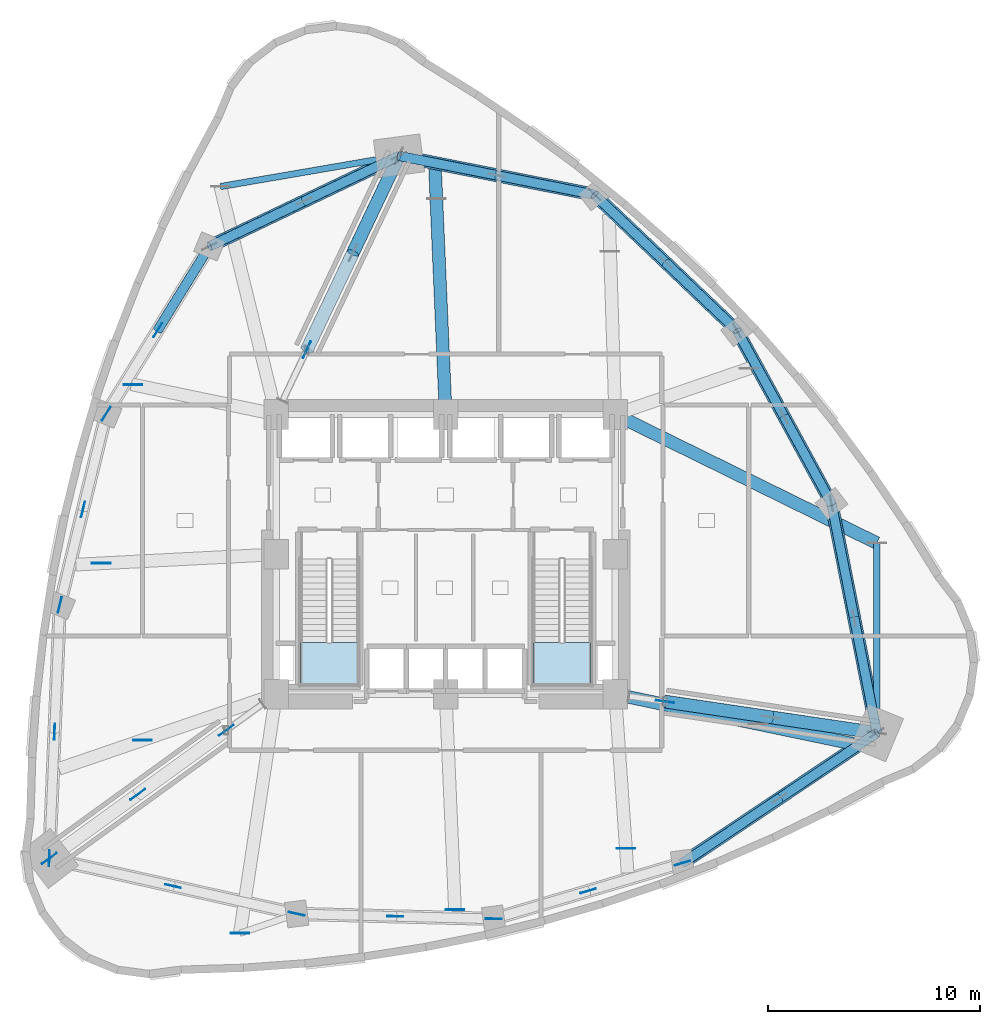
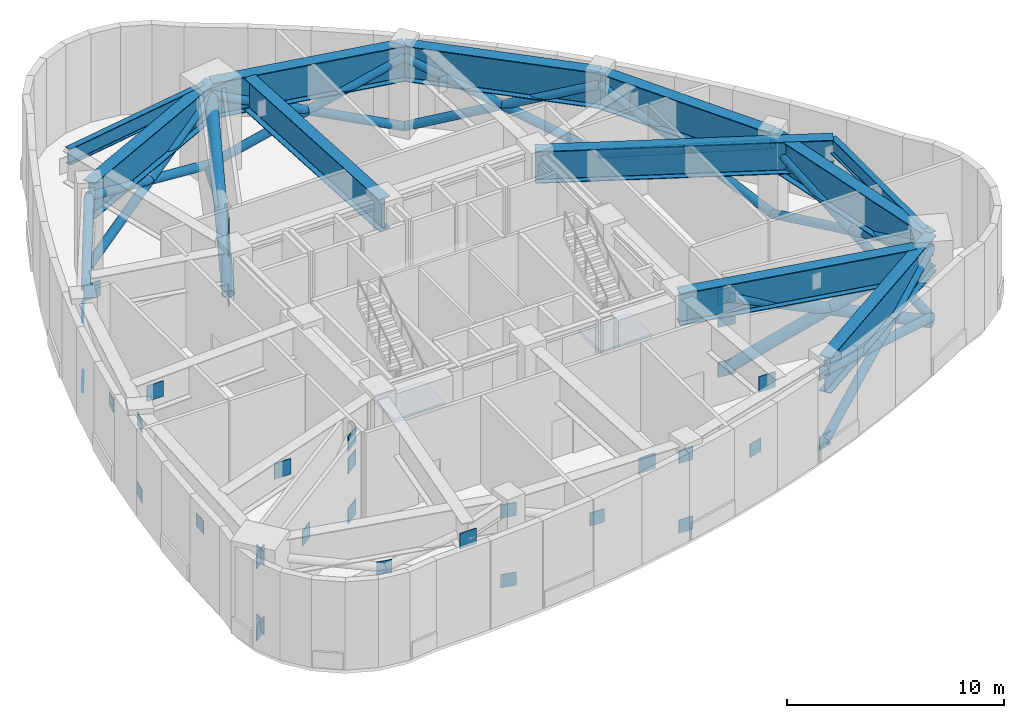
# One storey, part 3 of 13: 36 plates, 24 members, 11 beams, 2 slabs, 2 elements without a shape of their own.
"""IFC4 building model written with IfcOpenShell, lengths in metres."""

import ifcopenshell
import ifcopenshell.guid

model = None  # the IFC model being written
_history = None  # IfcOwnerHistory: only IFC2X3 demands one
_inside = {}  # id of a spatial element -> (the spatial element, [elements in it])
_under = {}  # id of a project, library or spatial element -> (it, [spatial elements below it])
_declared = {}  # id of a project -> (the project, [libraries it declares])
_typed = {}  # id of a type object -> (the type object, [elements of that type])
_made_of = {}  # id of a material, layer set ... -> (it, [elements and type objects made of it])


def new_model(schema):
    """Start an empty IFC model of exactly this schema.

    Asked for "IFC4X3", IfcOpenShell would pick the latest addendum, in which some entities
    have other attributes; the version numbers below select the first issue.
    IFC2X3 requires an IfcOwnerHistory on every rooted entity: one is made here for all.
    """
    global model, _history
    if schema == "IFC4X3":
        model = ifcopenshell.file(schema_version=(4, 3, 0, 0))
    else:
        model = ifcopenshell.file(schema=schema)
    _inside.clear()
    _under.clear()
    _declared.clear()
    _typed.clear()
    _made_of.clear()
    _history = None
    if model.schema == "IFC2X3":
        org = make("IfcOrganization", Name="unknown")
        user = make(
            "IfcPersonAndOrganization",
            ThePerson=make("IfcPerson", FamilyName="unknown"),
            TheOrganization=org,
        )
        app = make(
            "IfcApplication",
            ApplicationDeveloper=org,
            Version="unknown",
            ApplicationFullName="unknown",
            ApplicationIdentifier="unknown",
        )
        _history = make(
            "IfcOwnerHistory",
            OwningUser=user,
            OwningApplication=app,
            ChangeAction="ADDED",
            CreationDate=0,
        )
    return model


def make(cls, **values):
    """One entity of the class cls with the attributes given. An attribute that is None is left unset."""
    return model.create_entity(
        cls, **{name: value for name, value in values.items() if value is not None}
    )


def rooted(cls, **values):
    """An entity with a GlobalId (a new one), such as an element, a storey or a relation."""
    return make(cls, GlobalId=ifcopenshell.guid.new(), OwnerHistory=_history, **values)


def si_unit(unit_type, name, prefix=None):
    """IfcSIUnit, for example si_unit("LENGTHUNIT", "METRE", prefix="MILLI")."""
    return make("IfcSIUnit", UnitType=unit_type, Prefix=prefix, Name=name)


def assignment(units):
    """IfcUnitAssignment: the units of a project."""
    return None if units is None else make("IfcUnitAssignment", Units=units)


def point(xyz):
    """IfcCartesianPoint."""
    return None if xyz is None else make("IfcCartesianPoint", Coordinates=xyz)


def direction(xyz):
    """IfcDirection."""
    return None if xyz is None else make("IfcDirection", DirectionRatios=xyz)


def frame(location, z_axis=None, x_axis=None):
    """IfcAxis2Placement3D, a coordinate frame: its origin and axes. An axis left out is left unset."""
    return make(
        "IfcAxis2Placement3D",
        Location=point(location),
        Axis=direction(z_axis),
        RefDirection=direction(x_axis),
    )


def frame_2d(location, x_axis=None):
    """IfcAxis2Placement2D, a coordinate frame in the plane: its origin and x axis."""
    return make(
        "IfcAxis2Placement2D", Location=point(location), RefDirection=direction(x_axis)
    )


def origin():
    """The frame at (0, 0, 0) with its axes left unset."""
    return frame((0.0, 0.0, 0.0))


def origin_2d():
    """The frame at (0, 0) in the plane with its x axis left unset."""
    return frame_2d((0.0, 0.0))


def place(relative_to, where):
    """IfcLocalPlacement: puts the frame where relative to a parent placement (None: the world)."""
    return make(
        "IfcLocalPlacement", PlacementRelTo=relative_to, RelativePlacement=where
    )


def context(
    kind, dimensions, precision=None, world=None, true_north=None, identifier=None
):
    """IfcGeometricRepresentationContext, for example the 3D "Model" context."""
    return make(
        "IfcGeometricRepresentationContext",
        ContextIdentifier=identifier,
        ContextType=kind,
        CoordinateSpaceDimension=dimensions,
        Precision=precision,
        WorldCoordinateSystem=world,
        TrueNorth=true_north,
    )


def subcontext(parent, identifier, kind, view, scale=None):
    """IfcGeometricRepresentationSubContext, for example "Body" below "Model"."""
    return make(
        "IfcGeometricRepresentationSubContext",
        ContextIdentifier=identifier,
        ContextType=kind,
        ParentContext=parent,
        TargetScale=scale,
        TargetView=view,
    )


def project(units=None, contexts=None):
    """IfcProject with its units and contexts."""
    return rooted(
        "IfcProject",
        Name="project",
        RepresentationContexts=contexts,
        UnitsInContext=assignment(units),
    )


def spatial(cls, under=None, at=None, **own):
    """A site, building, storey or space (cls), placed at a placement, below another one or the project."""
    s = rooted(cls, ObjectPlacement=at, **own)
    if under is not None:
        _under.setdefault(under.id(), (under, []))[1].append(s)
    return s


def polyline(points):
    """IfcPolyline through the points."""
    return make("IfcPolyline", Points=[point(p) for p in points])


def profile(cls, at=None, kind="AREA", **sizes):
    """A parametric profile (cls). Its sizes go by their IFC names, for example OverallWidth=200.0."""
    return make(cls, ProfileType=kind, Position=at, **sizes)


def rectangle(**sizes):
    """IfcRectangleProfileDef."""
    return profile("IfcRectangleProfileDef", **sizes)


def hollow_circle(**sizes):
    """IfcCircleHollowProfileDef."""
    return profile("IfcCircleHollowProfileDef", **sizes)


def i_section(**sizes):
    """IfcIShapeProfileDef."""
    return profile("IfcIShapeProfileDef", **sizes)


def outline(outer, holes=None, kind="AREA"):
    """IfcArbitraryClosedProfileDef: a profile drawn as a closed curve; with holes, ...WithVoids."""
    if holes is None:
        return make("IfcArbitraryClosedProfileDef", ProfileType=kind, OuterCurve=outer)
    return make(
        "IfcArbitraryProfileDefWithVoids",
        ProfileType=kind,
        OuterCurve=outer,
        InnerCurves=holes,
    )


def extrude(swept, where, along, depth):
    """IfcExtrudedAreaSolid: the profile swept, set in the frame where, extruded along a direction by depth."""
    return make(
        "IfcExtrudedAreaSolid",
        SweptArea=swept,
        Position=where,
        ExtrudedDirection=direction(along),
        Depth=depth,
    )


def shape(context_of_items, identifier, shape_type, items):
    """IfcShapeRepresentation: the items that make up one representation, for example the "Body"."""
    return make(
        "IfcShapeRepresentation",
        ContextOfItems=context_of_items,
        RepresentationIdentifier=identifier,
        RepresentationType=shape_type,
        Items=items,
    )


def material(Name=None, Category=None):
    """IfcMaterial."""
    return make("IfcMaterial", Name=Name, Category=Category)


def layer(
    of_material, thickness, ventilated=None, Name=None, Category=None, Priority=None
):
    """IfcMaterialLayer: one layer of a wall or slab, of a material (None: an air gap)."""
    return make(
        "IfcMaterialLayer",
        Material=of_material,
        LayerThickness=thickness,
        IsVentilated=ventilated,
        Name=Name,
        Category=Category,
        Priority=Priority,
    )


def layer_set(layers, Name=None):
    """IfcMaterialLayerSet."""
    return make("IfcMaterialLayerSet", MaterialLayers=layers, LayerSetName=Name)


def material_profile(
    of_material, cross_section, Name=None, Category=None, Priority=None
):
    """IfcMaterialProfile: a cross section and its material."""
    return make(
        "IfcMaterialProfile",
        Name=Name,
        Material=of_material,
        Profile=cross_section,
        Priority=Priority,
        Category=Category,
    )


def profile_set(profiles, Name=None, composite=None):
    """IfcMaterialProfileSet."""
    return make(
        "IfcMaterialProfileSet",
        Name=Name,
        MaterialProfiles=profiles,
        CompositeProfile=composite,
    )


def made_of(thing, what):
    """Note that an element or type object is made of a material, layer set ...; save() writes the relation."""
    if what is not None:
        _made_of.setdefault(what.id(), (what, []))[1].append(thing)
    return thing


def type_object(cls, material=None, **own):
    """A type object (cls), such as IfcWallType, which elements share."""
    return made_of(rooted(cls, **own), material)


def element(
    cls,
    number,
    at=None,
    inside=None,
    cuts=None,
    type_object=None,
    material=None,
    context=None,
    identifier="Body",
    shape_type=None,
    held_by="IfcProductDefinitionShape",
    body=None,
    shapes=None,
    **own,
):
    """One element of the class cls, such as IfcWall. Its Tag is "e" and its number.

    at: its placement. inside: the storey or other place that contains it. cuts: it is an
    opening in that element (IfcRelVoidsElement). A single representation is given by context,
    identifier, shape_type and body (its items); several are given by shapes. held_by: the class
    of the entity that holds the representations. save() writes the other relations.
    """
    e = rooted(cls, Tag="e%d" % number, ObjectPlacement=at, **own)
    if body is not None:
        shapes = [shape(context, identifier, shape_type, body)]
    if shapes is not None:
        e.Representation = make(held_by, Representations=shapes)
    if inside is not None:
        _inside.setdefault(inside.id(), (inside, []))[1].append(e)
    if cuts is not None:
        rooted(
            "IfcRelVoidsElement", RelatingBuildingElement=cuts, RelatedOpeningElement=e
        )
    if type_object is not None:
        _typed.setdefault(type_object.id(), (type_object, []))[1].append(e)
    return made_of(e, material)


def aggregate(whole, parts):
    """IfcRelAggregates: a whole, such as a stair, and the parts it consists of."""
    return rooted("IfcRelAggregates", RelatingObject=whole, RelatedObjects=parts)


def save(model, path):
    """Write the relations noted so far, then the file.

    IfcRelAggregates (storeys below a building ...), IfcRelContainedInSpatialStructure (elements
    in a storey), IfcRelDefinesByType, IfcRelAssociatesMaterial and IfcRelDeclares: one each for
    every whole, place, type object, material and project.
    """
    for whole, parts in _under.values():
        aggregate(whole, parts)
    for where, things in _inside.values():
        rooted(
            "IfcRelContainedInSpatialStructure",
            RelatedElements=things,
            RelatingStructure=where,
        )
    for kind, things in _typed.values():
        rooted("IfcRelDefinesByType", RelatedObjects=things, RelatingType=kind)
    for what, things in _made_of.values():
        rooted("IfcRelAssociatesMaterial", RelatedObjects=things, RelatingMaterial=what)
    for by, libraries in _declared.values():
        rooted("IfcRelDeclares", RelatingContext=by, RelatedDefinitions=libraries)
    model.write(path)


model = new_model("IFC4")

# Units and contexts
model_context = context("Model", 3, precision=1e-05, world=origin(), true_north=direction((0.0, 1.0)))
body_context = subcontext(model_context, "Body", "Model", "MODEL_VIEW")
ifc_project = project(units=[si_unit("LENGTHUNIT", "METRE"), si_unit("AREAUNIT", "SQUARE_METRE"), si_unit("VOLUMEUNIT", "CUBIC_METRE"), si_unit("PLANEANGLEUNIT", "RADIAN"), si_unit("MASSUNIT", "GRAM", prefix="KILO")], contexts=[model_context])

# Site, building, storey
site_placement = place(None, origin())
site = spatial("IfcSite", under=ifc_project, at=site_placement, CompositionType="ELEMENT")
building_placement = place(site_placement, origin())
building = spatial("IfcBuilding", under=site, at=building_placement, Name="Ndelora Gate Hotel", CompositionType="ELEMENT")
storey_placement = place(building_placement, frame((0.0, 0.0, 83.0)))
storey = spatial("IfcBuildingStorey", under=building, at=storey_placement, Name="L20", CompositionType="ELEMENT", Elevation=83.0)

# Beams
ifc_material_1 = material(Name="Steel S460", Category="steel")
ifc_material_profile_1 = material_profile(ifc_material_1, i_section(OverallWidth=0.300048828125, OverallDepth=0.89990234375, WebThickness=0.0185546875, FlangeThickness=0.034912109375, FilletRadius=0.030029296875, at=origin_2d()), Name="HEB 900")
ifc_profile_set_1 = profile_set([ifc_material_profile_1], Name="Steel S460")
beam_type_1 = type_object("IfcBeamType", Name="BM-BELT-900", PredefinedType="SPANDREL", material=ifc_profile_set_1)
beam_1_placement = place(storey_placement, frame((-10.63330078125, 17.351806640625, 4.510009765625), z_axis=(0.98557291928, 0.169251353858, 0.0), x_axis=(-0.169251353858, 0.98557291928, 0.0)))
element("IfcBeam", 1, at=beam_1_placement, inside=storey, type_object=beam_type_1, Name="L20 Setback Corner Transfer Edge Tie 1", PredefinedType="SPANDREL", context=body_context, shape_type="SweptSolid", body=[
    extrude(i_section(OverallWidth=0.300048828125, OverallDepth=0.89990234375, WebThickness=0.0185546875, FlangeThickness=0.034912109375, FilletRadius=0.030029296875, at=origin_2d()), origin(), (0.0, 0.0, 1.0), 8.106689453125),
])
beam_2_placement = place(storey_placement, frame((20.34375, 0.53271484375, 4.510009765625), z_axis=(0.000688369262, -0.999999763074, 0.0), x_axis=(0.999999763074, 0.000688369262, 0.0)))
element("IfcBeam", 2, at=beam_2_placement, inside=storey, type_object=beam_type_1, Name="L20 Setback Corner Transfer Edge Tie 3", PredefinedType="SPANDREL", context=body_context, shape_type="SweptSolid", body=[
    extrude(i_section(OverallWidth=0.300048828125, OverallDepth=0.89990234375, WebThickness=0.0185546875, FlangeThickness=0.034912109375, FilletRadius=0.030029296875, at=origin_2d()), origin(), (0.0, 0.0, 1.0), 8.511962890625),
])
ifc_material_profile_2 = material_profile(ifc_material_1, i_section(OverallWidth=0.60009765625, OverallDepth=1.800048828125, WebThickness=0.028076171875, FlangeThickness=0.0400390625, FilletRadius=0.02392578125, at=origin_2d()), Name="PG 1800x600x40")
ifc_profile_set_2 = profile_set([ifc_material_profile_2], Name="Steel S460")
beam_type_2 = type_object("IfcBeamType", Name="BM-TR-1800", PredefinedType="BEAM", material=ifc_profile_set_2)
beam_3_placement = place(storey_placement, frame((8.0, 6.60009765625, 4.06005859375), z_axis=(0.89744536013, -0.44112563469, 0.0), x_axis=(0.44112563469, 0.89744536013, 0.0)))
element("IfcBeam", 3, at=beam_3_placement, inside=storey, type_object=beam_type_2, Name="L20 Setback Two-Support Radial Transfer Girder 3", PredefinedType="BEAM", context=body_context, shape_type="SweptSolid", body=[
    extrude(i_section(OverallWidth=0.60009765625, OverallDepth=1.800048828125, WebThickness=0.028076171875, FlangeThickness=0.0400390625, FilletRadius=0.02392578125, at=origin_2d()), origin(), (0.0, 0.0, 1.0), 13.75439453125),
])
beam_4_placement = place(storey_placement, frame((8.0, -6.60009765625, 4.06005859375), z_axis=(0.978946873275, -0.20411521086, 0.0), x_axis=(0.20411521086, 0.978946873275, 0.0)))
element("IfcBeam", 4, at=beam_4_placement, inside=storey, type_object=beam_type_2, Name="L20 Setback Two-Support Radial Transfer Girder 9", PredefinedType="BEAM", context=body_context, shape_type="SweptSolid", body=[
    extrude(i_section(OverallWidth=0.60009765625, OverallDepth=1.800048828125, WebThickness=0.028076171875, FlangeThickness=0.0400390625, FilletRadius=0.02392578125, at=origin_2d()), origin(), (0.0, 0.0, 1.0), 11.44775390625),
])
beam_5_placement = place(storey_placement, frame((0.0, 6.60009765625, 4.06005859375), z_axis=(-0.04313151912, 0.999069403024, 0.0), x_axis=(-0.999069403024, -0.04313151912, 0.0)))
element("IfcBeam", 5, at=beam_5_placement, inside=storey, type_object=beam_type_2, Name="L20 Setback Two-Support Radial Transfer Girder 12", PredefinedType="BEAM", context=body_context, shape_type="SweptSolid", body=[
    extrude(i_section(OverallWidth=0.60009765625, OverallDepth=1.800048828125, WebThickness=0.028076171875, FlangeThickness=0.0400390625, FilletRadius=0.02392578125, at=origin_2d()), origin(), (0.0, 0.0, 1.0), 11.575439453125),
])
ifc_material_profile_3 = material_profile(ifc_material_1, i_section(OverallWidth=0.6201171875, OverallDepth=2.0, WebThickness=0.028076171875, FlangeThickness=0.0400390625, FilletRadius=0.02392578125, at=origin_2d()), Name="PG 2000x620x40")
ifc_profile_set_3 = profile_set([ifc_material_profile_3], Name="Steel S460")
beam_type_3 = type_object("IfcBeamType", Name="BM-TR-2000", PredefinedType="BEAM", material=ifc_profile_set_3)
beam_6_placement = place(storey_placement, frame((-2.199951171875, 18.800048828125, 3.9599609375), z_axis=(-0.902476034566, -0.43074006899, 0.0), x_axis=(0.43074006899, -0.902476034566, 0.0)))
element("IfcBeam", 6, at=beam_6_placement, inside=storey, type_object=beam_type_3, Name="L20 Belt Truss Top Chord Girder 1", PredefinedType="BEAM", context=body_context, shape_type="SweptSolid", body=[
    extrude(i_section(OverallWidth=0.6201171875, OverallDepth=2.0, WebThickness=0.028076171875, FlangeThickness=0.0400390625, FilletRadius=0.02392578125, at=origin_2d()), origin(), (0.0, 0.0, 1.0), 9.91552734375),
])
beam_7_placement = place(storey_placement, frame((11.179443359375, -14.5693359375, 3.9599609375), z_axis=(0.830945983886, 0.556353099985, 0.0), x_axis=(-0.556353099985, 0.830945983886, 0.0)))
element("IfcBeam", 7, at=beam_7_placement, inside=storey, type_object=beam_type_3, Name="L20 Belt Truss Top Chord Girder 8", PredefinedType="BEAM", context=body_context, shape_type="SweptSolid", body=[
    extrude(i_section(OverallWidth=0.6201171875, OverallDepth=2.0, WebThickness=0.028076171875, FlangeThickness=0.0400390625, FilletRadius=0.02392578125, at=origin_2d()), origin(), (0.0, 0.0, 1.0), 11.036376953125),
])
beam_8_placement = place(storey_placement, frame((20.35009765625, -8.42919921875, 3.9599609375), z_axis=(-0.194163071691, 0.980969266385, 0.0), x_axis=(-0.980969266385, -0.194163071691, 0.0)))
element("IfcBeam", 8, at=beam_8_placement, inside=storey, type_object=beam_type_3, Name="L20 Belt Truss Top Chord Girder 9", PredefinedType="BEAM", context=body_context, shape_type="SweptSolid", body=[
    extrude(i_section(OverallWidth=0.6201171875, OverallDepth=2.0, WebThickness=0.028076171875, FlangeThickness=0.0400390625, FilletRadius=0.02392578125, at=origin_2d()), origin(), (0.0, 0.0, 1.0), 11.0361328125),
])
for number, where, z_axis, x_axis, name in (
    (9, (18.207275390625, 2.39697265625, 3.9599609375), (-0.479203651005, 0.87770374322, 0.0), (-0.87770374322, -0.479203651005, 0.0), "L20 Belt Truss Top Chord Girder 10"),
    (10, (13.75390625, 10.5537109375, 3.9599609375), (-0.723784227769, 0.690026370244, 0.0), (-0.690026370244, -0.723784227769, 0.0), "L20 Belt Truss Top Chord Girder 11"),
):
    element("IfcBeam", number, at=place(storey_placement, frame(where, z_axis=z_axis, x_axis=x_axis)), inside=storey, type_object=beam_type_3, Name=name, PredefinedType="BEAM", context=body_context, shape_type="SweptSolid", body=[
        extrude(i_section(OverallWidth=0.6201171875, OverallDepth=2.0, WebThickness=0.028076171875, FlangeThickness=0.0400390625, FilletRadius=0.02392578125, at=origin_2d()), origin(), (0.0, 0.0, 1.0), 9.293212890625),
    ])
beam_9_placement = place(storey_placement, frame((7.027587890625, 16.96630859375, 3.9599609375), z_axis=(-0.980820478164, 0.194913287424, 0.0), x_axis=(-0.194913287424, -0.980820478164, 0.0)))
element("IfcBeam", 11, at=beam_9_placement, inside=storey, type_object=beam_type_3, Name="L20 Belt Truss Top Chord Girder 12", PredefinedType="BEAM", context=body_context, shape_type="SweptSolid", body=[
    extrude(i_section(OverallWidth=0.6201171875, OverallDepth=2.0, WebThickness=0.028076171875, FlangeThickness=0.0400390625, FilletRadius=0.02392578125, at=origin_2d()), origin(), (0.0, 0.0, 1.0), 9.407958984375),
])

# Members
ifc_material_profile_4 = material_profile(ifc_material_1, hollow_circle(Radius=0.228515625, WallThickness=0.02490234375, at=origin_2d()), Name="CHS 457x25")
ifc_profile_set_4 = profile_set([ifc_material_profile_4], Name="Steel S460")
member_type_1 = type_object("IfcMemberType", Name="MB-BELT-457", PredefinedType="BRACE", material=ifc_profile_set_4)
member_1_placement = place(storey_placement, frame((-2.199951171875, 18.800048828125, 0.239990234375), z_axis=(-0.83927169195, -0.400573458625, 0.36764647603), x_axis=(0.43074006899, -0.902476034566, 0.0)))
element("IfcMember", 12, at=member_1_placement, inside=storey, type_object=member_type_1, Name="L20 Storey-Deep Belt Truss Continuous Diagonal 1A", PredefinedType="BRACE", context=body_context, shape_type="SweptSolid", body=[
    extrude(hollow_circle(Radius=0.228515625, WallThickness=0.02490234375, at=origin_2d()), origin(), (0.0, 0.0, 1.0), 10.662109375),
])
member_2_placement = place(storey_placement, frame((-11.1484375, 14.529052734375, 0.239990234375), z_axis=(0.839264922649, 0.400581156739, 0.367653541363), x_axis=(-0.430749640615, 0.902471466092, 0.0)))
element("IfcMember", 13, at=member_2_placement, inside=storey, type_object=member_type_1, Name="L20 Storey-Deep Belt Truss Split Diagonal 1B-Lower", PredefinedType="BRACE", context=body_context, shape_type="SweptSolid", body=[
    extrude(hollow_circle(Radius=0.228515625, WallThickness=0.02490234375, at=origin_2d()), origin(), (0.0, 0.0, 1.0), 5.3310546875),
])
member_3_placement = place(storey_placement, frame((-6.67431640625, 16.66455078125, 2.199951171875), z_axis=(0.83927846086, 0.400565760743, 0.367639410912), x_axis=(-0.430730497743, 0.902480602736, 0.0)))
element("IfcMember", 14, at=member_3_placement, inside=storey, type_object=member_type_1, Name="L20 Storey-Deep Belt Truss Split Diagonal 1B-Upper", PredefinedType="BRACE", context=body_context, shape_type="SweptSolid", body=[
    extrude(hollow_circle(Radius=0.228515625, WallThickness=0.02490234375, at=origin_2d()), origin(), (0.0, 0.0, 1.0), 5.331298828125),
])
member_4_placement = place(storey_placement, frame((-13.582763671875, 10.581787109375, 2.199951171875), z_axis=(0.483508793945, 0.784010648932, 0.389289800199), x_axis=(-0.851153621332, 0.524916672334, 0.0)))
element("IfcMember", 15, at=member_4_placement, inside=storey, type_object=member_type_1, Name="L20 Storey-Deep Belt Truss Split Diagonal 2B-Upper", PredefinedType="BRACE", context=body_context, shape_type="SweptSolid", body=[
    extrude(hollow_circle(Radius=0.228515625, WallThickness=0.02490234375, at=origin_2d()), origin(), (0.0, 0.0, 1.0), 5.03466796875),
])
member_5_placement = place(storey_placement, frame((11.179443359375, -14.5693359375, 0.239990234375), z_axis=(0.783022013694, 0.524265996976, 0.334696415405), x_axis=(-0.556353099985, 0.830945983886, 0.0)))
element("IfcMember", 16, at=member_5_placement, inside=storey, type_object=member_type_1, Name="L20 Storey-Deep Belt Truss Continuous Diagonal 8A", PredefinedType="BRACE", context=body_context, shape_type="SweptSolid", body=[
    extrude(hollow_circle(Radius=0.228515625, WallThickness=0.02490234375, at=origin_2d()), origin(), (0.0, 0.0, 1.0), 11.7119140625),
])
for number, where, z_axis, x_axis, name in (
    (17, (20.35009765625, -8.42919921875, 0.239990234375), (-0.783013948836, -0.524274554423, 0.334701878561), (0.556363326838, -0.830939136489, 0.0), "L20 Storey-Deep Belt Truss Split Diagonal 8B-Lower"),
    (18, (15.764892578125, -11.499267578125, 2.199951171875), (-0.783030078157, -0.52425743972, 0.334690952372), (0.556342873424, -0.830952830906, 0.0), "L20 Storey-Deep Belt Truss Split Diagonal 8B-Upper"),
):
    element("IfcMember", number, at=place(storey_placement, frame(where, z_axis=z_axis, x_axis=x_axis)), inside=storey, type_object=member_type_1, Name=name, PredefinedType="BRACE", context=body_context, shape_type="SweptSolid", body=[
        extrude(hollow_circle(Radius=0.228515625, WallThickness=0.02490234375, at=origin_2d()), origin(), (0.0, 0.0, 1.0), 5.85595703125),
    ])
member_6_placement = place(storey_placement, frame((20.35009765625, -8.42919921875, 0.239990234375), z_axis=(-0.182964534518, 0.92439094436, 0.334701898851), x_axis=(-0.980969266385, -0.194163071691, 0.0)))
element("IfcMember", 19, at=member_6_placement, inside=storey, type_object=member_type_1, Name="L20 Storey-Deep Belt Truss Continuous Diagonal 9A", PredefinedType="BRACE", context=body_context, shape_type="SweptSolid", body=[
    extrude(hollow_circle(Radius=0.228515625, WallThickness=0.02490234375, at=origin_2d()), origin(), (0.0, 0.0, 1.0), 11.711669921875),
])
member_7_placement = place(storey_placement, frame((18.207275390625, 2.39697265625, 0.239990234375), z_axis=(0.182944386332, -0.924394469863, 0.334703175359), x_axis=(0.980973479668, 0.194141783726, 0.0)))
element("IfcMember", 20, at=member_7_placement, inside=storey, type_object=member_type_1, Name="L20 Storey-Deep Belt Truss Split Diagonal 9B-Lower", PredefinedType="BRACE", context=body_context, shape_type="SweptSolid", body=[
    extrude(hollow_circle(Radius=0.228515625, WallThickness=0.02490234375, at=origin_2d()), origin(), (0.0, 0.0, 1.0), 5.855712890625),
])
member_8_placement = place(storey_placement, frame((19.278564453125, -3.01611328125, 2.199951171875), z_axis=(0.182984682472, -0.924387418495, 0.334700622212), x_axis=(0.980965052676, 0.194184359381, 0.0)))
element("IfcMember", 21, at=member_8_placement, inside=storey, type_object=member_type_1, Name="L20 Storey-Deep Belt Truss Split Diagonal 9B-Upper", PredefinedType="BRACE", context=body_context, shape_type="SweptSolid", body=[
    extrude(hollow_circle(Radius=0.228515625, WallThickness=0.02490234375, at=origin_2d()), origin(), (0.0, 0.0, 1.0), 5.85595703125),
])
member_9_placement = place(storey_placement, frame((18.207275390625, 2.39697265625, 0.239990234375), z_axis=(-0.441532581673, 0.808705857886, 0.388643557444), x_axis=(-0.87770374322, -0.479203651005, 0.0)))
element("IfcMember", 22, at=member_9_placement, inside=storey, type_object=member_type_1, Name="L20 Storey-Deep Belt Truss Continuous Diagonal 10A", PredefinedType="BRACE", context=body_context, shape_type="SweptSolid", body=[
    extrude(hollow_circle(Radius=0.228515625, WallThickness=0.02490234375, at=origin_2d()), origin(), (0.0, 0.0, 1.0), 10.086181640625),
])
member_10_placement = place(storey_placement, frame((13.75390625, 10.5537109375, 0.239990234375), z_axis=(0.441552067976, -0.808697214729, 0.388639403762), x_axis=(0.877692693705, 0.479223888613, 0.0)))
element("IfcMember", 23, at=member_10_placement, inside=storey, type_object=member_type_1, Name="L20 Storey-Deep Belt Truss Split Diagonal 10B-Lower", PredefinedType="BRACE", context=body_context, shape_type="SweptSolid", body=[
    extrude(hollow_circle(Radius=0.228515625, WallThickness=0.02490234375, at=origin_2d()), origin(), (0.0, 0.0, 1.0), 5.043212890625),
])
member_11_placement = place(storey_placement, frame((15.980712890625, 6.475341796875, 2.199951171875), z_axis=(0.441513094745, -0.808714500846, 0.388647711032), x_axis=(0.877714792548, 0.479183412633, 0.0)))
element("IfcMember", 24, at=member_11_placement, inside=storey, type_object=member_type_1, Name="L20 Storey-Deep Belt Truss Split Diagonal 10B-Upper", PredefinedType="BRACE", context=body_context, shape_type="SweptSolid", body=[
    extrude(hollow_circle(Radius=0.228515625, WallThickness=0.02490234375, at=origin_2d()), origin(), (0.0, 0.0, 1.0), 5.04296875),
])
member_12_placement = place(storey_placement, frame((13.75390625, 10.5537109375, 0.239990234375), z_axis=(-0.666886171691, 0.635782083614, 0.388643765115), x_axis=(-0.690026370244, -0.723784227769, 0.0)))
element("IfcMember", 25, at=member_12_placement, inside=storey, type_object=member_type_1, Name="L20 Storey-Deep Belt Truss Continuous Diagonal 11A", PredefinedType="BRACE", context=body_context, shape_type="SweptSolid", body=[
    extrude(hollow_circle(Radius=0.228515625, WallThickness=0.02490234375, at=origin_2d()), origin(), (0.0, 0.0, 1.0), 10.086181640625),
])
member_13_placement = place(storey_placement, frame((7.027587890625, 16.96630859375, 0.239990234375), z_axis=(0.666899611789, -0.635771820676, 0.388637491539), x_axis=(0.690013249996, 0.723796735852, 0.0)))
element("IfcMember", 26, at=member_13_placement, inside=storey, type_object=member_type_1, Name="L20 Storey-Deep Belt Truss Split Diagonal 11B-Lower", PredefinedType="BRACE", context=body_context, shape_type="SweptSolid", body=[
    extrude(hollow_circle(Radius=0.228515625, WallThickness=0.02490234375, at=origin_2d()), origin(), (0.0, 0.0, 1.0), 5.043212890625),
])
member_14_placement = place(storey_placement, frame((10.390869140625, 13.760009765625, 2.199951171875), z_axis=(0.666872730942, -0.635792346676, 0.388650038766), x_axis=(0.690039490764, 0.723771718973, 0.0)))
element("IfcMember", 27, at=member_14_placement, inside=storey, type_object=member_type_1, Name="L20 Storey-Deep Belt Truss Split Diagonal 11B-Upper", PredefinedType="BRACE", context=body_context, shape_type="SweptSolid", body=[
    extrude(hollow_circle(Radius=0.228515625, WallThickness=0.02490234375, at=origin_2d()), origin(), (0.0, 0.0, 1.0), 5.04296875),
])
member_15_placement = place(storey_placement, frame((7.027587890625, 16.96630859375, 0.239990234375), z_axis=(-0.905375128062, 0.179920430386, 0.384609563344), x_axis=(-0.194913287424, -0.980820478164, 0.0)))
element("IfcMember", 28, at=member_15_placement, inside=storey, type_object=member_type_1, Name="L20 Storey-Deep Belt Truss Continuous Diagonal 12A", PredefinedType="BRACE", context=body_context, shape_type="SweptSolid", body=[
    extrude(hollow_circle(Radius=0.228515625, WallThickness=0.02490234375, at=origin_2d()), origin(), (0.0, 0.0, 1.0), 10.19189453125),
])
for number, where, z_axis, x_axis, name in (
    (29, (-2.199951171875, 18.800048828125, 0.239990234375), (0.905379029868, -0.17989725141, 0.384611220858), (0.194888322743, 0.980825438933, 0.0), "L20 Storey-Deep Belt Truss Split Diagonal 12B-Lower"),
    (30, (2.413818359375, 17.88330078125, 2.199951171875), (0.905371225787, -0.179943609062, 0.384607905631), (0.194938251727, 0.980815516809, 0.0), "L20 Storey-Deep Belt Truss Split Diagonal 12B-Upper"),
):
    element("IfcMember", number, at=place(storey_placement, frame(where, z_axis=z_axis, x_axis=x_axis)), inside=storey, type_object=member_type_1, Name=name, PredefinedType="BRACE", context=body_context, shape_type="SweptSolid", body=[
        extrude(hollow_circle(Radius=0.228515625, WallThickness=0.02490234375, at=origin_2d()), origin(), (0.0, 0.0, 1.0), 5.095947265625),
    ])
ifc_material_profile_5 = material_profile(ifc_material_1, hollow_circle(Radius=0.304931640625, WallThickness=0.031982421875, at=origin_2d()), Name="CHS 610x32")
ifc_profile_set_5 = profile_set([ifc_material_profile_5], Name="Steel S460")
member_type_2 = type_object("IfcMemberType", Name="MB-OUT-610", PredefinedType="BRACE", material=ifc_profile_set_5)
member_16_placement = place(storey_placement, frame((-6.550048828125, 9.64990234375, 0.0), z_axis=(0.398550800241, 0.838325594467, 0.371977764508), x_axis=(-0.903132932318, 0.429361044533, 0.0)))
element("IfcMember", 31, at=member_16_placement, inside=storey, type_object=member_type_2, Name="L20 Core-to-Mega-Column Outrigger Continuous Arm 1A", PredefinedType="BRACE", context=body_context, shape_type="SweptSolid", body=[
    extrude(hollow_circle(Radius=0.304931640625, WallThickness=0.031982421875, at=origin_2d()), origin(), (0.0, 0.0, 1.0), 10.914794921875),
])
member_17_placement = place(storey_placement, frame((-4.375, 14.22509765625, 2.030029296875), z_axis=(0.398558273801, 0.83831894632, -0.371984739775), x_axis=(-0.903128489862, 0.429370388824, 0.0)))
element("IfcMember", 32, at=member_17_placement, inside=storey, type_object=member_type_2, Name="L20 Core-to-Mega-Column Outrigger Split Arm 1B-Lower", PredefinedType="BRACE", context=body_context, shape_type="SweptSolid", body=[
    extrude(hollow_circle(Radius=0.304931640625, WallThickness=0.031982421875, at=origin_2d()), origin(), (0.0, 0.0, 1.0), 5.457275390625),
])
member_18_placement = place(storey_placement, frame((10.35009765625, -6.947998046875, 0.0), z_axis=(0.917941132368, -0.135965548098, 0.372689478303), x_axis=(0.146521528108, 0.989207481674, 0.0)))
element("IfcMember", 33, at=member_18_placement, inside=storey, type_object=member_type_2, Name="L20 Core-to-Mega-Column Outrigger Continuous Arm 3A", PredefinedType="BRACE", context=body_context, shape_type="SweptSolid", body=[
    extrude(hollow_circle(Radius=0.304931640625, WallThickness=0.031982421875, at=origin_2d()), origin(), (0.0, 0.0, 1.0), 10.89404296875),
])
for number, where, z_axis, x_axis, name in (
    (34, (10.35009765625, -6.947998046875, 4.06005859375), (0.917938335111, -0.135987544371, -0.3726883426), (0.146545160078, 0.989203981016, 0.0), "L20 Core-to-Mega-Column Outrigger Split Arm 3B-Upper"),
    (35, (15.35009765625, -7.688720703125, 2.030029296875), (0.91794392919, -0.135943551623, -0.372690613829), (0.146497895888, 0.989210981793, 0.0), "L20 Core-to-Mega-Column Outrigger Split Arm 3B-Lower"),
):
    element("IfcMember", number, at=place(storey_placement, frame(where, z_axis=z_axis, x_axis=x_axis)), inside=storey, type_object=member_type_2, Name=name, PredefinedType="BRACE", context=body_context, shape_type="SweptSolid", body=[
        extrude(hollow_circle(Radius=0.304931640625, WallThickness=0.031982421875, at=origin_2d()), origin(), (0.0, 0.0, 1.0), 5.447021484375),
    ])

# Plates
ifc_layer_1 = layer(ifc_material_1, 0.031982421875)
ifc_layer_set_1 = layer_set([ifc_layer_1], Name="Steel S460")
plate_type_1 = type_object("IfcPlateType", Name="PL-NODE-BN1", PredefinedType="USERDEFINED", material=ifc_layer_set_1)
for number, where, z_axis, x_axis, name in (
    (36, (-16.016845703125, 6.634521484375, 3.784912109375), (0.0, 0.0, 1.0), (0.524877544859, 0.851177750474, 0.0), "Node gusset cap plate BN1"),
    (37, (-16.016845703125, 6.634521484375, -0.135009765625), (0.0, 0.0, 1.0), (0.524877544859, 0.851177750474, 0.0), "Node gusset cap plate BN1"),
    (38, (-13.582763671875, 10.581787109375, 1.824951171875), (0.0, 0.0, 1.0), (0.524877544859, 0.851177750474, 0.0), "Node gusset cap plate BN1"),
    (39, (-18.207275390625, -2.39697265625, 3.784912109375), (0.0, 0.0, 1.0), (0.235650998436, 0.971837747227, 0.0), "Node gusset cap plate BN1"),
    (40, (-18.207275390625, -2.39697265625, -0.135009765625), (0.0, 0.0, 1.0), (0.235650998436, 0.971837747227, 0.0), "Node gusset cap plate BN1"),
    (41, (-17.112060546875, 2.11865234375, 1.824951171875), (0.0, 0.0, 1.0), (0.235650998436, 0.971837747227, 0.0), "Node gusset cap plate BN1"),
    (42, (-18.701904296875, -14.3505859375, 3.784912109375), (0.0, 0.0, 1.0), (0.041352508522, 0.999144619181, 0.0), "Node gusset cap plate BN1"),
    (43, (-18.701904296875, -14.3505859375, -0.135009765625), (0.0, 0.0, 1.0), (0.041352508522, 0.999144619181, 0.0), "Node gusset cap plate BN1"),
    (44, (-18.45458984375, -8.373779296875, 1.824951171875), (0.0, 0.0, 1.0), (0.041352508522, 0.999144619181, 0.0), "Node gusset cap plate BN1"),
    (45, (-7.027587890625, -16.96630859375, 3.784912109375), (0.0, 0.0, 1.0), (-0.975802408633, 0.218654200292, 0.0), "Node gusset cap plate BN1"),
    (46, (-7.027587890625, -16.96630859375, -0.135009765625), (0.0, 0.0, 1.0), (-0.975802408633, 0.218654200292, 0.0), "Node gusset cap plate BN1"),
    (47, (-12.86474609375, -15.658447265625, 1.824951171875), (0.0, 0.0, 1.0), (-0.975802408633, 0.218654200292, 0.0), "Node gusset cap plate BN1"),
    (48, (2.2646484375, -17.20166015625, 3.784912109375), (0.0, 0.0, 1.0), (-0.999679788028, 0.025304572866, 0.0), "Node gusset cap plate BN1"),
    (49, (2.2646484375, -17.20166015625, -0.135009765625), (0.0, 0.0, 1.0), (-0.999679788028, 0.025304572866, 0.0), "Node gusset cap plate BN1"),
    (50, (-2.381591796875, -17.083984375, 1.824951171875), (0.0, 0.0, 1.0), (-0.999679788028, 0.025304572866, 0.0), "Node gusset cap plate BN1"),
    (51, (11.179443359375, -14.5693359375, 3.784912109375), (0.0, 0.0, 1.0), (0.95906721989, 0.2831785086, 0.0), "Node gusset cap plate BN1"),
    (52, (11.179443359375, -14.5693359375, -0.135009765625), (0.0, 0.0, 1.0), (0.95906721989, 0.2831785086, 0.0), "Node gusset cap plate BN1"),
    (53, (6.72216796875, -15.885498046875, 1.824951171875), (0.0, 0.0, 1.0), (0.95906721989, 0.2831785086, 0.0), "Node gusset cap plate BN1"),
):
    element("IfcPlate", number, at=place(storey_placement, frame(where, z_axis=z_axis, x_axis=x_axis)), inside=storey, type_object=plate_type_1, Name=name, ObjectType="GUSSET_PLATE", PredefinedType="USERDEFINED", context=body_context, shape_type="SweptSolid", body=[
        extrude(rectangle(XDim=0.75, YDim=0.031982421875, at=origin_2d()), origin(), (0.0, 0.0, 1.0), 0.75),
    ])
ifc_layer_2 = layer(ifc_material_1, 0.0380859375)
ifc_layer_set_2 = layer_set([ifc_layer_2], Name="Steel S460")
plate_type_2 = type_object("IfcPlateType", Name="PL-NODE-KN1", PredefinedType="USERDEFINED", material=ifc_layer_set_2)
for number, where, z_axis, x_axis, name in (
    (54, (-9.71044921875, -17.884521484375, 3.6201171875), (0.0, 0.0, 1.0), (1.0, 0.0, 0.0), "Node gusset cap plate KN1"),
    (55, (-14.74658203125, 8.006591796875, 3.6201171875), (0.0, 0.0, 1.0), (1.0, 0.0, 0.0), "Node gusset cap plate KN1"),
    (56, (-16.25537109375, -0.42578125, 3.6201171875), (0.0, 0.0, 1.0), (1.0, 0.0, 0.0), "Node gusset cap plate KN1"),
    (57, (-14.307373046875, -8.767578125, 3.6201171875), (0.0, 0.0, 1.0), (1.0, 0.0, 0.0), "Node gusset cap plate KN1"),
    (58, (0.439208984375, -16.7744140625, 3.6201171875), (0.0, 0.0, 1.0), (1.0, 0.0, 0.0), "Node gusset cap plate KN1"),
    (59, (8.50439453125, -13.878173828125, 3.6201171875), (0.0, 0.0, 1.0), (1.0, 0.0, 0.0), "Node gusset cap plate KN1"),
):
    element("IfcPlate", number, at=place(storey_placement, frame(where, z_axis=z_axis, x_axis=x_axis)), inside=storey, type_object=plate_type_2, Name=name, ObjectType="GUSSET_PLATE", PredefinedType="USERDEFINED", context=body_context, shape_type="SweptSolid", body=[
        extrude(rectangle(XDim=0.8798828125, YDim=0.0380859375, at=origin_2d()), origin(), (0.0, 0.0, 1.0), 0.8798828125),
    ])
ifc_layer_3 = layer(ifc_material_1, 0.035888671875)
ifc_layer_set_3 = layer_set([ifc_layer_3], Name="Steel S460")
plate_type_3 = type_object("IfcPlateType", Name="PL-NODE-ON1", PredefinedType="USERDEFINED", material=ifc_layer_set_3)
for number, where, z_axis, x_axis, name in (
    (60, (-6.550048828125, 9.64990234375, 2.3701171875), (0.0, 0.0, 1.0), (0.429408059837, 0.903110579136, 0.0), "Node gusset cap plate ON1"),
    (61, (-6.550048828125, 9.64990234375, -0.43017578125), (0.0, 0.0, 1.0), (0.429408059837, 0.903110579136, 0.0), "Node gusset cap plate ON1"),
    (62, (-6.550048828125, 9.64990234375, 3.6298828125), (0.0, 0.0, 1.0), (0.429408059837, 0.903110579136, 0.0), "Node gusset cap plate ON1"),
    (63, (-10.35009765625, -8.302001953125, 2.3701171875), (0.0, 0.0, 1.0), (0.809939286826, 0.586513726741, 0.0), "Node gusset cap plate ON1"),
    (64, (-10.35009765625, -8.302001953125, -0.43017578125), (0.0, 0.0, 1.0), (0.809939286826, 0.586513726741, 0.0), "Node gusset cap plate ON1"),
    (65, (-18.701904296875, -14.3505859375, 3.6298828125), (0.0, 0.0, 1.0), (0.809939286826, 0.586513726741, 0.0), "Node gusset cap plate ON1"),
    (66, (-10.35009765625, -8.302001953125, 3.6298828125), (0.0, 0.0, 1.0), (0.809939286826, 0.586513726741, 0.0), "Node gusset cap plate ON1"),
    (67, (-18.701904296875, -14.3505859375, -0.43017578125), (0.0, 0.0, 1.0), (0.809939286826, 0.586513726741, 0.0), "Node gusset cap plate ON1"),
    (68, (-14.52587890625, -11.326171875, 1.60009765625), (0.0, 0.0, 1.0), (0.809939286826, 0.586513726741, 0.0), "Node gusset cap plate ON1"),
    (69, (10.35009765625, -6.947998046875, 2.3701171875), (0.0, 0.0, 1.0), (-0.989195708464, 0.146600990296, 0.0), "Node gusset cap plate ON1"),
    (70, (10.35009765625, -6.947998046875, -0.43017578125), (0.0, 0.0, 1.0), (-0.989195708464, 0.146600990296, 0.0), "Node gusset cap plate ON1"),
    (71, (10.35009765625, -6.947998046875, 3.6298828125), (0.0, 0.0, 1.0), (-0.989195708464, 0.146600990296, 0.0), "Node gusset cap plate ON1"),
):
    element("IfcPlate", number, at=place(storey_placement, frame(where, z_axis=z_axis, x_axis=x_axis)), inside=storey, type_object=plate_type_3, Name=name, ObjectType="GUSSET_PLATE", PredefinedType="USERDEFINED", context=body_context, shape_type="SweptSolid", body=[
        extrude(rectangle(XDim=0.860107421875, YDim=0.035888671875, at=origin_2d()), origin(), (0.0, 0.0, 1.0), 0.860107421875),
    ])

# Stair, slab
ifc_material_2 = material(Name="Precast concrete C40/50", Category="concrete")
stair_type = type_object("IfcStairType", Name="STR-DOG-CORE", PredefinedType="HALF_TURN_STAIR", material=ifc_material_2)
stair_1_placement = place(storey_placement, origin())
stair_1 = element("IfcStair", 72, at=stair_1_placement, inside=storey, type_object=stair_type, Name="L20 Protected Core Exit Stair ST4", PredefinedType="HALF_TURN_STAIR")
ifc_layer_4 = layer(ifc_material_2, 0.219970703125)
ifc_layer_set_4 = layer_set([ifc_layer_4], Name="Precast concrete C40/50")
slab_type = type_object("IfcSlabType", Name="SL-LAND-220", PredefinedType="LANDING", material=ifc_layer_set_4)
slab_1_placement = place(storey_placement, frame((0.0, 0.0, 2.425048828125)))
slab_1 = element("IfcSlab", 73, at=slab_1_placement, type_object=slab_type, Name="ST4 landing 1", PredefinedType="LANDING", context=body_context, shape_type="SweptSolid", body=[
    extrude(outline(polyline([(-6.85009765625, -4.14990234375), (-6.85009765625, -6.14990234375), (-4.1298828125, -6.14990234375), (-4.1298828125, -4.14990234375), (-6.85009765625, -4.14990234375)])), origin(), (0.0, 0.0, 1.0), 0.199951171875),
])
aggregate(stair_1, [slab_1])

stair_2_placement = place(storey_placement, origin())
stair_2 = element("IfcStair", 74, at=stair_2_placement, inside=storey, type_object=stair_type, Name="L20 Protected Core Exit Stair ST5", PredefinedType="HALF_TURN_STAIR")
slab_2_placement = place(storey_placement, frame((0.0, 0.0, 2.425048828125)))
slab_2 = element("IfcSlab", 75, at=slab_2_placement, type_object=slab_type, Name="ST5 landing 1", PredefinedType="LANDING", context=body_context, shape_type="SweptSolid", body=[
    extrude(outline(polyline([(4.1298828125, -4.14990234375), (4.1298828125, -6.14990234375), (6.85009765625, -6.14990234375), (6.85009765625, -4.14990234375), (4.1298828125, -4.14990234375)])), origin(), (0.0, 0.0, 1.0), 0.199951171875),
])
aggregate(stair_2, [slab_2])

save(model, "model.ifc")
